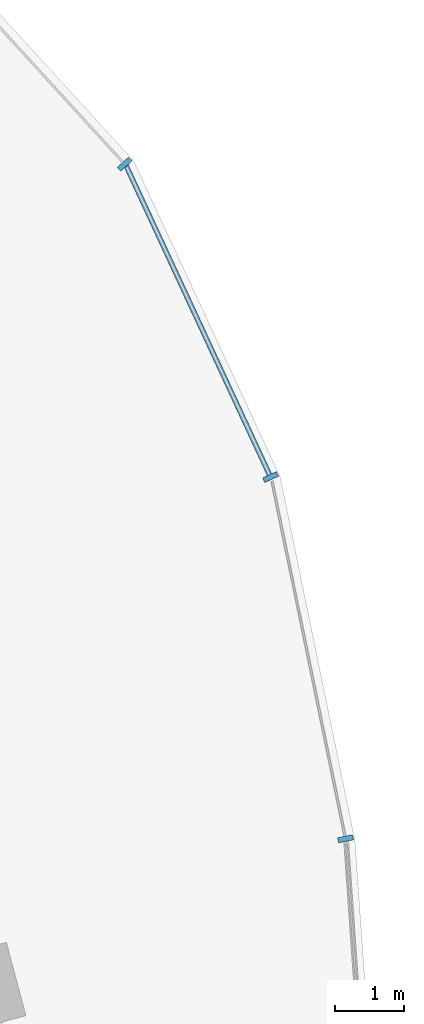
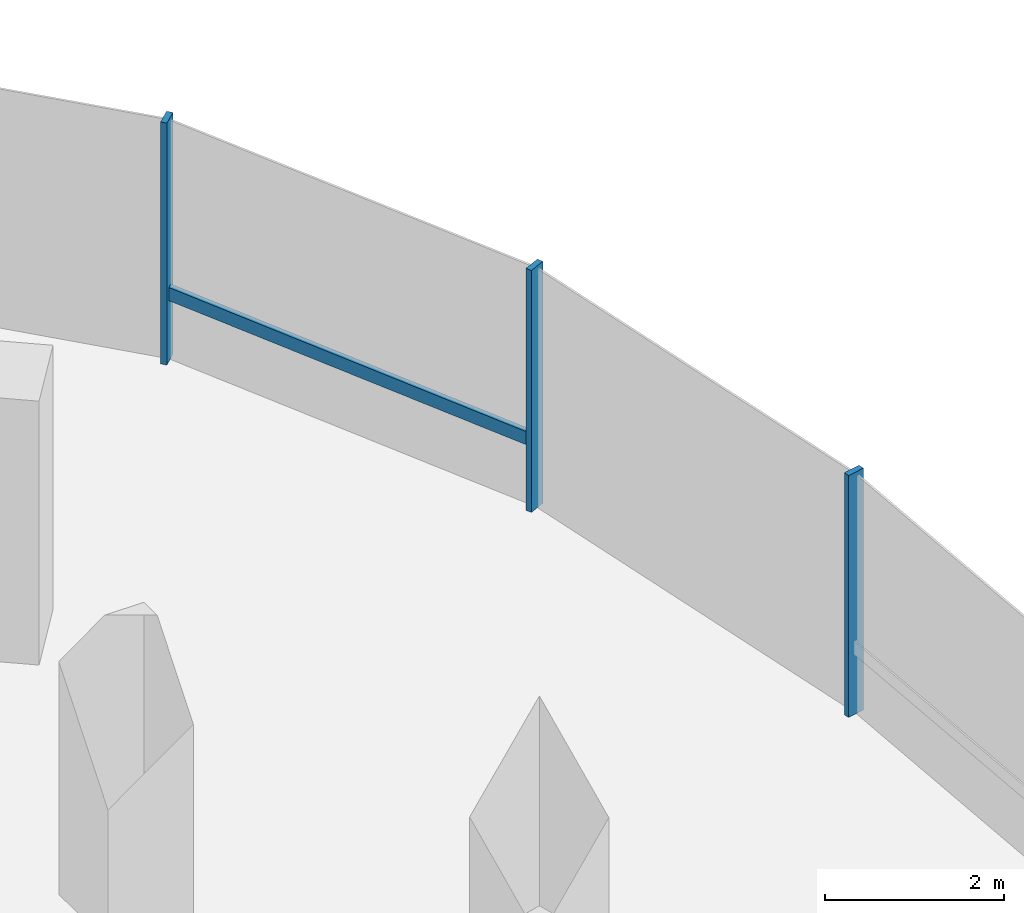
# One storey, part 8 of 21: 4 members, 1 element without a shape of its own.
"""IFC4 building model written with IfcOpenShell, lengths in metres."""

import ifcopenshell
import ifcopenshell.guid

model = None  # the IFC model being written
_history = None  # IfcOwnerHistory: only IFC2X3 demands one
_inside = {}  # id of a spatial element -> (the spatial element, [elements in it])
_under = {}  # id of a project, library or spatial element -> (it, [spatial elements below it])
_declared = {}  # id of a project -> (the project, [libraries it declares])
_typed = {}  # id of a type object -> (the type object, [elements of that type])
_made_of = {}  # id of a material, layer set ... -> (it, [elements and type objects made of it])


def new_model(schema):
    """Start an empty IFC model of exactly this schema.

    Asked for "IFC4X3", IfcOpenShell would pick the latest addendum, in which some entities
    have other attributes; the version numbers below select the first issue.
    IFC2X3 requires an IfcOwnerHistory on every rooted entity: one is made here for all.
    """
    global model, _history
    if schema == "IFC4X3":
        model = ifcopenshell.file(schema_version=(4, 3, 0, 0))
    else:
        model = ifcopenshell.file(schema=schema)
    _inside.clear()
    _under.clear()
    _declared.clear()
    _typed.clear()
    _made_of.clear()
    _history = None
    if model.schema == "IFC2X3":
        org = make("IfcOrganization", Name="unknown")
        user = make(
            "IfcPersonAndOrganization",
            ThePerson=make("IfcPerson", FamilyName="unknown"),
            TheOrganization=org,
        )
        app = make(
            "IfcApplication",
            ApplicationDeveloper=org,
            Version="unknown",
            ApplicationFullName="unknown",
            ApplicationIdentifier="unknown",
        )
        _history = make(
            "IfcOwnerHistory",
            OwningUser=user,
            OwningApplication=app,
            ChangeAction="ADDED",
            CreationDate=0,
        )
    return model


def make(cls, **values):
    """One entity of the class cls with the attributes given. An attribute that is None is left unset."""
    return model.create_entity(
        cls, **{name: value for name, value in values.items() if value is not None}
    )


def rooted(cls, **values):
    """An entity with a GlobalId (a new one), such as an element, a storey or a relation."""
    return make(cls, GlobalId=ifcopenshell.guid.new(), OwnerHistory=_history, **values)


def si_unit(unit_type, name, prefix=None):
    """IfcSIUnit, for example si_unit("LENGTHUNIT", "METRE", prefix="MILLI")."""
    return make("IfcSIUnit", UnitType=unit_type, Prefix=prefix, Name=name)


def assignment(units):
    """IfcUnitAssignment: the units of a project."""
    return None if units is None else make("IfcUnitAssignment", Units=units)


def point(xyz):
    """IfcCartesianPoint."""
    return None if xyz is None else make("IfcCartesianPoint", Coordinates=xyz)


def direction(xyz):
    """IfcDirection."""
    return None if xyz is None else make("IfcDirection", DirectionRatios=xyz)


def frame(location, z_axis=None, x_axis=None):
    """IfcAxis2Placement3D, a coordinate frame: its origin and axes. An axis left out is left unset."""
    return make(
        "IfcAxis2Placement3D",
        Location=point(location),
        Axis=direction(z_axis),
        RefDirection=direction(x_axis),
    )


def frame_2d(location, x_axis=None):
    """IfcAxis2Placement2D, a coordinate frame in the plane: its origin and x axis."""
    return make(
        "IfcAxis2Placement2D", Location=point(location), RefDirection=direction(x_axis)
    )


def origin():
    """The frame at (0, 0, 0) with its axes left unset."""
    return frame((0.0, 0.0, 0.0))


def origin_2d():
    """The frame at (0, 0) in the plane with its x axis left unset."""
    return frame_2d((0.0, 0.0))


def place(relative_to, where):
    """IfcLocalPlacement: puts the frame where relative to a parent placement (None: the world)."""
    return make(
        "IfcLocalPlacement", PlacementRelTo=relative_to, RelativePlacement=where
    )


def context(
    kind, dimensions, precision=None, world=None, true_north=None, identifier=None
):
    """IfcGeometricRepresentationContext, for example the 3D "Model" context."""
    return make(
        "IfcGeometricRepresentationContext",
        ContextIdentifier=identifier,
        ContextType=kind,
        CoordinateSpaceDimension=dimensions,
        Precision=precision,
        WorldCoordinateSystem=world,
        TrueNorth=true_north,
    )


def subcontext(parent, identifier, kind, view, scale=None):
    """IfcGeometricRepresentationSubContext, for example "Body" below "Model"."""
    return make(
        "IfcGeometricRepresentationSubContext",
        ContextIdentifier=identifier,
        ContextType=kind,
        ParentContext=parent,
        TargetScale=scale,
        TargetView=view,
    )


def project(units=None, contexts=None):
    """IfcProject with its units and contexts."""
    return rooted(
        "IfcProject",
        Name="project",
        RepresentationContexts=contexts,
        UnitsInContext=assignment(units),
    )


def spatial(cls, under=None, at=None, **own):
    """A site, building, storey or space (cls), placed at a placement, below another one or the project."""
    s = rooted(cls, ObjectPlacement=at, **own)
    if under is not None:
        _under.setdefault(under.id(), (under, []))[1].append(s)
    return s


def profile(cls, at=None, kind="AREA", **sizes):
    """A parametric profile (cls). Its sizes go by their IFC names, for example OverallWidth=200.0."""
    return make(cls, ProfileType=kind, Position=at, **sizes)


def rectangle(**sizes):
    """IfcRectangleProfileDef."""
    return profile("IfcRectangleProfileDef", **sizes)


def extrude(swept, where, along, depth):
    """IfcExtrudedAreaSolid: the profile swept, set in the frame where, extruded along a direction by depth."""
    return make(
        "IfcExtrudedAreaSolid",
        SweptArea=swept,
        Position=where,
        ExtrudedDirection=direction(along),
        Depth=depth,
    )


def shape(context_of_items, identifier, shape_type, items):
    """IfcShapeRepresentation: the items that make up one representation, for example the "Body"."""
    return make(
        "IfcShapeRepresentation",
        ContextOfItems=context_of_items,
        RepresentationIdentifier=identifier,
        RepresentationType=shape_type,
        Items=items,
    )


def material(Name=None, Category=None):
    """IfcMaterial."""
    return make("IfcMaterial", Name=Name, Category=Category)


def material_profile(
    of_material, cross_section, Name=None, Category=None, Priority=None
):
    """IfcMaterialProfile: a cross section and its material."""
    return make(
        "IfcMaterialProfile",
        Name=Name,
        Material=of_material,
        Profile=cross_section,
        Priority=Priority,
        Category=Category,
    )


def profile_set(profiles, Name=None, composite=None):
    """IfcMaterialProfileSet."""
    return make(
        "IfcMaterialProfileSet",
        Name=Name,
        MaterialProfiles=profiles,
        CompositeProfile=composite,
    )


def made_of(thing, what):
    """Note that an element or type object is made of a material, layer set ...; save() writes the relation."""
    if what is not None:
        _made_of.setdefault(what.id(), (what, []))[1].append(thing)
    return thing


def type_object(cls, material=None, **own):
    """A type object (cls), such as IfcWallType, which elements share."""
    return made_of(rooted(cls, **own), material)


def element(
    cls,
    number,
    at=None,
    inside=None,
    cuts=None,
    type_object=None,
    material=None,
    context=None,
    identifier="Body",
    shape_type=None,
    held_by="IfcProductDefinitionShape",
    body=None,
    shapes=None,
    **own,
):
    """One element of the class cls, such as IfcWall. Its Tag is "e" and its number.

    at: its placement. inside: the storey or other place that contains it. cuts: it is an
    opening in that element (IfcRelVoidsElement). A single representation is given by context,
    identifier, shape_type and body (its items); several are given by shapes. held_by: the class
    of the entity that holds the representations. save() writes the other relations.
    """
    e = rooted(cls, Tag="e%d" % number, ObjectPlacement=at, **own)
    if body is not None:
        shapes = [shape(context, identifier, shape_type, body)]
    if shapes is not None:
        e.Representation = make(held_by, Representations=shapes)
    if inside is not None:
        _inside.setdefault(inside.id(), (inside, []))[1].append(e)
    if cuts is not None:
        rooted(
            "IfcRelVoidsElement", RelatingBuildingElement=cuts, RelatedOpeningElement=e
        )
    if type_object is not None:
        _typed.setdefault(type_object.id(), (type_object, []))[1].append(e)
    return made_of(e, material)


def aggregate(whole, parts):
    """IfcRelAggregates: a whole, such as a stair, and the parts it consists of."""
    return rooted("IfcRelAggregates", RelatingObject=whole, RelatedObjects=parts)


def save(model, path):
    """Write the relations noted so far, then the file.

    IfcRelAggregates (storeys below a building ...), IfcRelContainedInSpatialStructure (elements
    in a storey), IfcRelDefinesByType, IfcRelAssociatesMaterial and IfcRelDeclares: one each for
    every whole, place, type object, material and project.
    """
    for whole, parts in _under.values():
        aggregate(whole, parts)
    for where, things in _inside.values():
        rooted(
            "IfcRelContainedInSpatialStructure",
            RelatedElements=things,
            RelatingStructure=where,
        )
    for kind, things in _typed.values():
        rooted("IfcRelDefinesByType", RelatedObjects=things, RelatingType=kind)
    for what, things in _made_of.values():
        rooted("IfcRelAssociatesMaterial", RelatedObjects=things, RelatingMaterial=what)
    for by, libraries in _declared.values():
        rooted("IfcRelDeclares", RelatingContext=by, RelatedDefinitions=libraries)
    model.write(path)


model = new_model("IFC4")

# Units and contexts
model_context = context("Model", 3, precision=1e-05, world=origin(), true_north=direction((0.0, 1.0)))
body_context = subcontext(model_context, "Body", "Model", "MODEL_VIEW")
ifc_project = project(units=[si_unit("LENGTHUNIT", "METRE"), si_unit("AREAUNIT", "SQUARE_METRE"), si_unit("VOLUMEUNIT", "CUBIC_METRE"), si_unit("PLANEANGLEUNIT", "RADIAN"), si_unit("MASSUNIT", "GRAM", prefix="KILO"), si_unit("THERMODYNAMICTEMPERATUREUNIT", "KELVIN"), si_unit("POWERUNIT", "WATT")], contexts=[model_context])

# Site, building, storey
site_placement = place(None, origin())
site = spatial("IfcSite", under=ifc_project, at=site_placement, CompositionType="ELEMENT")
building_placement = place(site_placement, origin())
building = spatial("IfcBuilding", under=site, at=building_placement, Name="Cundina Bronze Exchange", CompositionType="ELEMENT")
storey_placement = place(building_placement, frame((0.0, 0.0, 81.800048828125)))
storey = spatial("IfcBuildingStorey", under=building, at=storey_placement, Name="L20", CompositionType="ELEMENT", Elevation=81.800048828125)

# Curtain wall, members
ifc_material = material(Name="Anodised Bronze Aluminium 6063-T6", Category="aluminium")
curtain_wall_type = type_object("IfcCurtainWallType", Name="CWS-TRD-MID", PredefinedType="NOTDEFINED", material=ifc_material)
curtain_wall_placement = place(storey_placement, origin())
curtain_wall = element("IfcCurtainWall", 1, at=curtain_wall_placement, inside=storey, type_object=curtain_wall_type, Name="L20 CW-03 Curtain Wall Run CWR-L20-E1", PredefinedType="NOTDEFINED")
ifc_material_profile_1 = material_profile(ifc_material, rectangle(XDim=0.074951171875, YDim=0.219970703125, at=origin_2d()), Name="AL75X220", Category="aluminium")
ifc_profile_set_1 = profile_set([ifc_material_profile_1], Name="Anodised Bronze Aluminium 6063-T6")
member_type_1 = type_object("IfcMemberType", Name="CWM-MUL-220", PredefinedType="MULLION", material=ifc_profile_set_1)
member_1_placement = place(storey_placement, frame((50.717041015625, 8.67822265625, 0.0), z_axis=(0.0, 0.0, 1.0), x_axis=(-0.201419845156, 0.979505000486, 0.0)))
member_1 = element("IfcMember", 2, at=member_1_placement, type_object=member_type_1, Name="CW-03 Mullion 2", PredefinedType="MULLION", context=body_context, shape_type="SweptSolid", body=[
    extrude(rectangle(XDim=0.074951171875, YDim=0.219970703125, at=origin_2d()), origin(), (0.0, 0.0, 1.0), 3.300048828125),
])
member_2_placement = place(storey_placement, frame((49.6279296875, 13.931884765625, 0.0), z_axis=(0.0, 0.0, 1.0), x_axis=(-0.42087749791, 0.907117485088, 0.0)))
member_2 = element("IfcMember", 3, at=member_2_placement, type_object=member_type_1, Name="CW-03 Mullion 3", PredefinedType="MULLION", context=body_context, shape_type="SweptSolid", body=[
    extrude(rectangle(XDim=0.074951171875, YDim=0.219970703125, at=origin_2d()), origin(), (0.0, 0.0, 1.0), 3.300048828125),
])
member_3_placement = place(storey_placement, frame((47.508544921875, 18.47705078125, 0.0), z_axis=(0.0, 0.0, 1.0), x_axis=(-0.674302387584, 0.738455340626, 0.0)))
member_3 = element("IfcMember", 4, at=member_3_placement, type_object=member_type_1, Name="CW-03 Mullion 4", PredefinedType="MULLION", context=body_context, shape_type="SweptSolid", body=[
    extrude(rectangle(XDim=0.074951171875, YDim=0.219970703125, at=origin_2d()), origin(), (0.0, 0.0, 1.0), 3.300048828125),
])
ifc_material_profile_2 = material_profile(ifc_material, rectangle(XDim=0.070068359375, YDim=0.179931640625, at=origin_2d()), Name="AL70X180", Category="aluminium")
ifc_profile_set_2 = profile_set([ifc_material_profile_2], Name="Anodised Bronze Aluminium 6063-T6")
member_type_2 = type_object("IfcMemberType", Name="CWM-TRN-180", PredefinedType="USERDEFINED", material=ifc_profile_set_2)
member_4_placement = place(storey_placement, frame((49.610595703125, 13.96923828125, 0.919921875), z_axis=(-0.420811422796, 0.907148139195, 0.0), x_axis=(-0.907148139195, -0.420811422796, 0.0)))
member_4 = element("IfcMember", 5, at=member_4_placement, type_object=member_type_2, Name="CW-03 Spandrel Transom 3", ObjectType="TRANSOM", PredefinedType="USERDEFINED", context=body_context, shape_type="SweptSolid", body=[
    extrude(rectangle(XDim=0.070068359375, YDim=0.179931640625, at=origin_2d()), origin(), (0.0, 0.0, 1.0), 4.95166015625),
])
aggregate(curtain_wall, [member_1, member_2, member_4, member_3])

save(model, "model.ifc")
